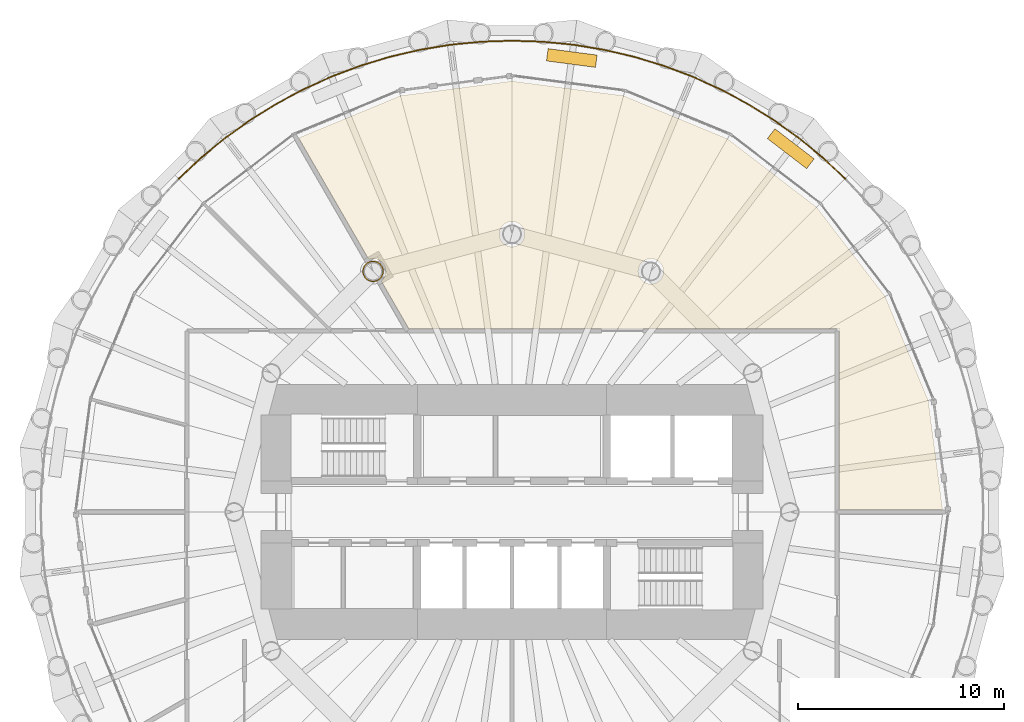
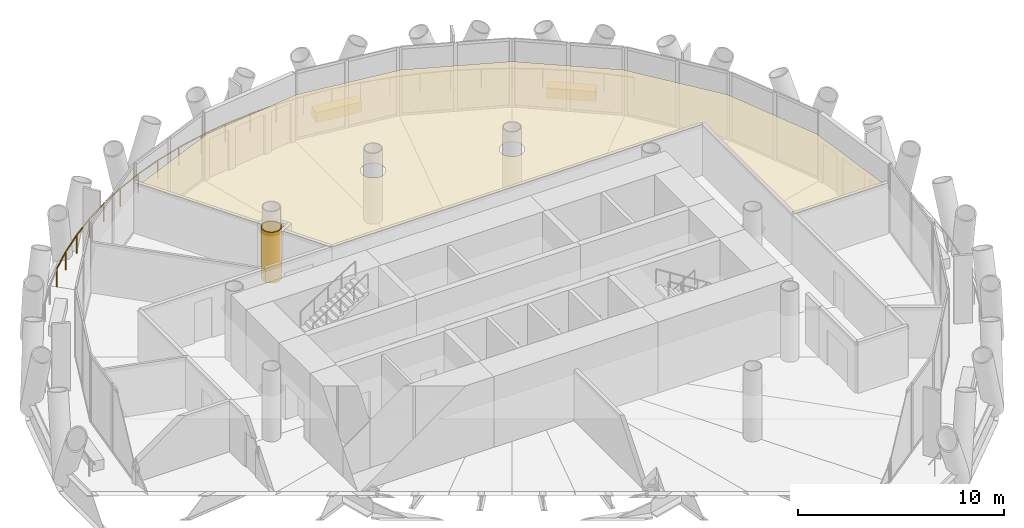
# One storey, part 14 of 14: 4 coverings, 1 railing.
"""IFC4 building model written with IfcOpenShell, lengths in metres."""

import ifcopenshell
import ifcopenshell.guid

model = None  # the IFC model being written
_history = None  # IfcOwnerHistory: only IFC2X3 demands one
_inside = {}  # id of a spatial element -> (the spatial element, [elements in it])
_under = {}  # id of a project, library or spatial element -> (it, [spatial elements below it])
_declared = {}  # id of a project -> (the project, [libraries it declares])
_typed = {}  # id of a type object -> (the type object, [elements of that type])
_made_of = {}  # id of a material, layer set ... -> (it, [elements and type objects made of it])


def new_model(schema):
    """Start an empty IFC model of exactly this schema.

    Asked for "IFC4X3", IfcOpenShell would pick the latest addendum, in which some entities
    have other attributes; the version numbers below select the first issue.
    IFC2X3 requires an IfcOwnerHistory on every rooted entity: one is made here for all.
    """
    global model, _history
    if schema == "IFC4X3":
        model = ifcopenshell.file(schema_version=(4, 3, 0, 0))
    else:
        model = ifcopenshell.file(schema=schema)
    _inside.clear()
    _under.clear()
    _declared.clear()
    _typed.clear()
    _made_of.clear()
    _history = None
    if model.schema == "IFC2X3":
        org = make("IfcOrganization", Name="unknown")
        user = make(
            "IfcPersonAndOrganization",
            ThePerson=make("IfcPerson", FamilyName="unknown"),
            TheOrganization=org,
        )
        app = make(
            "IfcApplication",
            ApplicationDeveloper=org,
            Version="unknown",
            ApplicationFullName="unknown",
            ApplicationIdentifier="unknown",
        )
        _history = make(
            "IfcOwnerHistory",
            OwningUser=user,
            OwningApplication=app,
            ChangeAction="ADDED",
            CreationDate=0,
        )
    return model


def make(cls, **values):
    """One entity of the class cls with the attributes given. An attribute that is None is left unset."""
    return model.create_entity(
        cls, **{name: value for name, value in values.items() if value is not None}
    )


def rooted(cls, **values):
    """An entity with a GlobalId (a new one), such as an element, a storey or a relation."""
    return make(cls, GlobalId=ifcopenshell.guid.new(), OwnerHistory=_history, **values)


def si_unit(unit_type, name, prefix=None):
    """IfcSIUnit, for example si_unit("LENGTHUNIT", "METRE", prefix="MILLI")."""
    return make("IfcSIUnit", UnitType=unit_type, Prefix=prefix, Name=name)


def assignment(units):
    """IfcUnitAssignment: the units of a project."""
    return None if units is None else make("IfcUnitAssignment", Units=units)


def point(xyz):
    """IfcCartesianPoint."""
    return None if xyz is None else make("IfcCartesianPoint", Coordinates=xyz)


def direction(xyz):
    """IfcDirection."""
    return None if xyz is None else make("IfcDirection", DirectionRatios=xyz)


def frame(location, z_axis=None, x_axis=None):
    """IfcAxis2Placement3D, a coordinate frame: its origin and axes. An axis left out is left unset."""
    return make(
        "IfcAxis2Placement3D",
        Location=point(location),
        Axis=direction(z_axis),
        RefDirection=direction(x_axis),
    )


def frame_2d(location, x_axis=None):
    """IfcAxis2Placement2D, a coordinate frame in the plane: its origin and x axis."""
    return make(
        "IfcAxis2Placement2D", Location=point(location), RefDirection=direction(x_axis)
    )


def origin():
    """The frame at (0, 0, 0) with its axes left unset."""
    return frame((0.0, 0.0, 0.0))


def origin_2d():
    """The frame at (0, 0) in the plane with its x axis left unset."""
    return frame_2d((0.0, 0.0))


def place(relative_to, where):
    """IfcLocalPlacement: puts the frame where relative to a parent placement (None: the world)."""
    return make(
        "IfcLocalPlacement", PlacementRelTo=relative_to, RelativePlacement=where
    )


def context(
    kind, dimensions, precision=None, world=None, true_north=None, identifier=None
):
    """IfcGeometricRepresentationContext, for example the 3D "Model" context."""
    return make(
        "IfcGeometricRepresentationContext",
        ContextIdentifier=identifier,
        ContextType=kind,
        CoordinateSpaceDimension=dimensions,
        Precision=precision,
        WorldCoordinateSystem=world,
        TrueNorth=true_north,
    )


def subcontext(parent, identifier, kind, view, scale=None):
    """IfcGeometricRepresentationSubContext, for example "Body" below "Model"."""
    return make(
        "IfcGeometricRepresentationSubContext",
        ContextIdentifier=identifier,
        ContextType=kind,
        ParentContext=parent,
        TargetScale=scale,
        TargetView=view,
    )


def project(units=None, contexts=None):
    """IfcProject with its units and contexts."""
    return rooted(
        "IfcProject",
        Name="project",
        RepresentationContexts=contexts,
        UnitsInContext=assignment(units),
    )


def spatial(cls, under=None, at=None, **own):
    """A site, building, storey or space (cls), placed at a placement, below another one or the project."""
    s = rooted(cls, ObjectPlacement=at, **own)
    if under is not None:
        _under.setdefault(under.id(), (under, []))[1].append(s)
    return s


def polyline(points):
    """IfcPolyline through the points."""
    return make("IfcPolyline", Points=[point(p) for p in points])


def profile(cls, at=None, kind="AREA", **sizes):
    """A parametric profile (cls). Its sizes go by their IFC names, for example OverallWidth=200.0."""
    return make(cls, ProfileType=kind, Position=at, **sizes)


def rectangle(**sizes):
    """IfcRectangleProfileDef."""
    return profile("IfcRectangleProfileDef", **sizes)


def circle(**sizes):
    """IfcCircleProfileDef."""
    return profile("IfcCircleProfileDef", **sizes)


def outline(outer, holes=None, kind="AREA"):
    """IfcArbitraryClosedProfileDef: a profile drawn as a closed curve; with holes, ...WithVoids."""
    if holes is None:
        return make("IfcArbitraryClosedProfileDef", ProfileType=kind, OuterCurve=outer)
    return make(
        "IfcArbitraryProfileDefWithVoids",
        ProfileType=kind,
        OuterCurve=outer,
        InnerCurves=holes,
    )


def extrude(swept, where, along, depth):
    """IfcExtrudedAreaSolid: the profile swept, set in the frame where, extruded along a direction by depth."""
    return make(
        "IfcExtrudedAreaSolid",
        SweptArea=swept,
        Position=where,
        ExtrudedDirection=direction(along),
        Depth=depth,
    )


def shape(context_of_items, identifier, shape_type, items):
    """IfcShapeRepresentation: the items that make up one representation, for example the "Body"."""
    return make(
        "IfcShapeRepresentation",
        ContextOfItems=context_of_items,
        RepresentationIdentifier=identifier,
        RepresentationType=shape_type,
        Items=items,
    )


def material(Name=None, Category=None):
    """IfcMaterial."""
    return make("IfcMaterial", Name=Name, Category=Category)


def layer(
    of_material, thickness, ventilated=None, Name=None, Category=None, Priority=None
):
    """IfcMaterialLayer: one layer of a wall or slab, of a material (None: an air gap)."""
    return make(
        "IfcMaterialLayer",
        Material=of_material,
        LayerThickness=thickness,
        IsVentilated=ventilated,
        Name=Name,
        Category=Category,
        Priority=Priority,
    )


def layer_set(layers, Name=None):
    """IfcMaterialLayerSet."""
    return make("IfcMaterialLayerSet", MaterialLayers=layers, LayerSetName=Name)


def made_of(thing, what):
    """Note that an element or type object is made of a material, layer set ...; save() writes the relation."""
    if what is not None:
        _made_of.setdefault(what.id(), (what, []))[1].append(thing)
    return thing


def type_object(cls, material=None, **own):
    """A type object (cls), such as IfcWallType, which elements share."""
    return made_of(rooted(cls, **own), material)


def element(
    cls,
    number,
    at=None,
    inside=None,
    cuts=None,
    type_object=None,
    material=None,
    context=None,
    identifier="Body",
    shape_type=None,
    held_by="IfcProductDefinitionShape",
    body=None,
    shapes=None,
    **own,
):
    """One element of the class cls, such as IfcWall. Its Tag is "e" and its number.

    at: its placement. inside: the storey or other place that contains it. cuts: it is an
    opening in that element (IfcRelVoidsElement). A single representation is given by context,
    identifier, shape_type and body (its items); several are given by shapes. held_by: the class
    of the entity that holds the representations. save() writes the other relations.
    """
    e = rooted(cls, Tag="e%d" % number, ObjectPlacement=at, **own)
    if body is not None:
        shapes = [shape(context, identifier, shape_type, body)]
    if shapes is not None:
        e.Representation = make(held_by, Representations=shapes)
    if inside is not None:
        _inside.setdefault(inside.id(), (inside, []))[1].append(e)
    if cuts is not None:
        rooted(
            "IfcRelVoidsElement", RelatingBuildingElement=cuts, RelatedOpeningElement=e
        )
    if type_object is not None:
        _typed.setdefault(type_object.id(), (type_object, []))[1].append(e)
    return made_of(e, material)


def aggregate(whole, parts):
    """IfcRelAggregates: a whole, such as a stair, and the parts it consists of."""
    return rooted("IfcRelAggregates", RelatingObject=whole, RelatedObjects=parts)


def save(model, path):
    """Write the relations noted so far, then the file.

    IfcRelAggregates (storeys below a building ...), IfcRelContainedInSpatialStructure (elements
    in a storey), IfcRelDefinesByType, IfcRelAssociatesMaterial and IfcRelDeclares: one each for
    every whole, place, type object, material and project.
    """
    for whole, parts in _under.values():
        aggregate(whole, parts)
    for where, things in _inside.values():
        rooted(
            "IfcRelContainedInSpatialStructure",
            RelatedElements=things,
            RelatingStructure=where,
        )
    for kind, things in _typed.values():
        rooted("IfcRelDefinesByType", RelatedObjects=things, RelatingType=kind)
    for what, things in _made_of.values():
        rooted("IfcRelAssociatesMaterial", RelatedObjects=things, RelatingMaterial=what)
    for by, libraries in _declared.values():
        rooted("IfcRelDeclares", RelatingContext=by, RelatedDefinitions=libraries)
    model.write(path)


model = new_model("IFC4")

# Units and contexts
model_context = context("Model", 3, precision=1e-05, world=origin(), true_north=direction((0.0, 1.0)))
body_context = subcontext(model_context, "Body", "Model", "MODEL_VIEW")
ifc_project = project(units=[si_unit("LENGTHUNIT", "METRE"), si_unit("AREAUNIT", "SQUARE_METRE"), si_unit("VOLUMEUNIT", "CUBIC_METRE"), si_unit("PLANEANGLEUNIT", "RADIAN"), si_unit("MASSUNIT", "GRAM", prefix="KILO")], contexts=[model_context])

# Site, building, storey
site_placement = place(None, origin())
site = spatial("IfcSite", under=ifc_project, at=site_placement, CompositionType="ELEMENT")
building_placement = place(site_placement, origin())
building = spatial("IfcBuilding", under=site, at=building_placement, Name="Qaws Media Tower", CompositionType="ELEMENT")
storey_placement = place(building_placement, frame((0.0, 0.0, 202.39990234375)))
storey = spatial("IfcBuildingStorey", under=building, at=storey_placement, Name="L46", CompositionType="ELEMENT", Elevation=202.39990234375)

# Railing
ifc_material_1 = material(Name="Stainless steel and glass guard", Category="steel")
railing_type = type_object("IfcRailingType", Name="Balcony guard 1100", PredefinedType="GUARDRAIL", material=ifc_material_1)
railing_placement = place(storey_placement, frame((76.192626953125, 66.192626953125, 0.0)))
element("IfcRailing", 1, at=railing_placement, inside=storey, type_object=railing_type, Name="GR1 balcony guard L46-1", PredefinedType="GUARDRAIL", context=body_context, shape_type="SweptSolid", body=[
    extrude(circle(Radius=0.02392578125, at=origin_2d()), frame((0.0, 0.0, 1.076171875), z_axis=(-0.729786131412, 0.683675509579, 0.0), x_axis=(-0.683675509579, -0.729786131412, 0.0)), (0.0, 0.0, 1.0), 1.498291015625),
    extrude(circle(Radius=0.02392578125, at=origin_2d()), frame((-1.093505859375, 1.0244140625, 1.076171875), z_axis=(-0.773020109112, 0.634381518416, 0.0), x_axis=(-0.634381518416, -0.773020109112, 0.0)), (0.0, 0.0, 1.0), 1.49853515625),
    extrude(circle(Radius=0.02392578125, at=origin_2d()), frame((-2.251953125, 1.97509765625, 1.076171875), z_axis=(-0.812774700378, 0.582578137613, 0.0), x_axis=(-0.582578137613, -0.812774700378, 0.0)), (0.0, 0.0, 1.0), 1.49853515625),
    extrude(circle(Radius=0.02392578125, at=origin_2d()), frame((-3.469970703125, 2.84814453125, 1.076171875), z_axis=(-0.84924978873, 0.527991284342, 0.0), x_axis=(-0.527991284342, -0.84924978873, 0.0)), (0.0, 0.0, 1.0), 1.49853515625),
    extrude(circle(Radius=0.02392578125, at=origin_2d()), frame((-4.74267578125, 3.639404296875, 1.076171875), z_axis=(-0.881942178876, 0.471357606408, 0.0), x_axis=(-0.471357606408, -0.881942178876, 0.0)), (0.0, 0.0, 1.0), 1.49853515625),
    extrude(circle(Radius=0.02392578125, at=origin_2d()), frame((-6.064208984375, 4.345703125, 1.076171875), z_axis=(-0.910879082902, 0.412673353066, 0.0), x_axis=(-0.412673353066, -0.910879082902, 0.0)), (0.0, 0.0, 1.0), 1.49853515625),
    extrude(circle(Radius=0.02392578125, at=origin_2d()), frame((-7.42919921875, 4.964111328125, 1.076171875), z_axis=(-0.935846213022, 0.352408662738, 0.0), x_axis=(-0.352408662738, -0.935846213022, 0.0)), (0.0, 0.0, 1.0), 1.49853515625),
    extrude(circle(Radius=0.02392578125, at=origin_2d()), frame((-8.83154296875, 5.4921875, 1.076171875), z_axis=(-0.956979175917, 0.290156607475, 0.0), x_axis=(-0.290156607475, -0.956979175917, 0.0)), (0.0, 0.0, 1.0), 1.49853515625),
    extrude(circle(Radius=0.02392578125, at=origin_2d()), frame((-10.265625, 5.927001953125, 1.076171875), z_axis=(-0.973872443437, 0.227095715315, 0.0), x_axis=(-0.227095715315, -0.973872443437, 0.0)), (0.0, 0.0, 1.0), 1.49853515625),
    extrude(circle(Radius=0.02392578125, at=origin_2d()), frame((-11.72509765625, 6.267333984375, 1.076171875), z_axis=(-0.98663939489, 0.162919318839, 0.0), x_axis=(-0.162919318839, -0.98663939489, 0.0)), (0.0, 0.0, 1.0), 1.49853515625),
    extrude(circle(Radius=0.02392578125, at=origin_2d()), frame((-13.20361328125, 6.511474609375, 1.076171875), z_axis=(-0.995178136619, 0.098084027218, 0.0), x_axis=(-0.098084027218, -0.995178136619, 0.0)), (0.0, 0.0, 1.0), 1.49853515625),
    extrude(circle(Radius=0.02392578125, at=origin_2d()), frame((-14.69482421875, 6.658447265625, 1.076171875), z_axis=(-0.999469048478, 0.032582528068, 0.0), x_axis=(-0.032582528068, -0.999469048478, 0.0)), (0.0, 0.0, 1.0), 1.49853515625),
    extrude(circle(Radius=0.02392578125, at=origin_2d()), frame((-16.192626953125, 6.707275390625, 1.076171875), z_axis=(-0.999469048478, -0.032582528068, 0.0), x_axis=(0.032582528068, -0.999469048478, 0.0)), (0.0, 0.0, 1.0), 1.49853515625),
    extrude(circle(Radius=0.02392578125, at=origin_2d()), frame((-17.6904296875, 6.658447265625, 1.076171875), z_axis=(-0.995178136619, -0.098084027218, 0.0), x_axis=(0.098084027218, -0.995178136619, 0.0)), (0.0, 0.0, 1.0), 1.49853515625),
    extrude(circle(Radius=0.02392578125, at=origin_2d()), frame((-19.181640625, 6.511474609375, 1.076171875), z_axis=(-0.98663939489, -0.162919318839, 0.0), x_axis=(0.162919318839, -0.98663939489, 0.0)), (0.0, 0.0, 1.0), 1.49853515625),
    extrude(circle(Radius=0.02392578125, at=origin_2d()), frame((-20.66015625, 6.267333984375, 1.076171875), z_axis=(-0.973872443437, -0.227095715315, 0.0), x_axis=(0.227095715315, -0.973872443437, 0.0)), (0.0, 0.0, 1.0), 1.49853515625),
    extrude(circle(Radius=0.02392578125, at=origin_2d()), frame((-22.11962890625, 5.927001953125, 1.076171875), z_axis=(-0.956979175917, -0.290156607475, 0.0), x_axis=(0.290156607475, -0.956979175917, 0.0)), (0.0, 0.0, 1.0), 1.49853515625),
    extrude(circle(Radius=0.02392578125, at=origin_2d()), frame((-23.5537109375, 5.4921875, 1.076171875), z_axis=(-0.935846213022, -0.352408662738, 0.0), x_axis=(0.352408662738, -0.935846213022, 0.0)), (0.0, 0.0, 1.0), 1.49853515625),
    extrude(circle(Radius=0.02392578125, at=origin_2d()), frame((-24.9560546875, 4.964111328125, 1.076171875), z_axis=(-0.910879082902, -0.412673353066, 0.0), x_axis=(0.412673353066, -0.910879082902, 0.0)), (0.0, 0.0, 1.0), 1.49853515625),
    extrude(circle(Radius=0.02392578125, at=origin_2d()), frame((-26.321044921875, 4.345703125, 1.076171875), z_axis=(-0.881942178876, -0.471357606408, 0.0), x_axis=(0.471357606408, -0.881942178876, 0.0)), (0.0, 0.0, 1.0), 1.49853515625),
    extrude(circle(Radius=0.02392578125, at=origin_2d()), frame((-27.642578125, 3.639404296875, 1.076171875), z_axis=(-0.84924978873, -0.527991284342, 0.0), x_axis=(0.527991284342, -0.84924978873, 0.0)), (0.0, 0.0, 1.0), 1.49853515625),
    extrude(circle(Radius=0.02392578125, at=origin_2d()), frame((-28.915283203125, 2.84814453125, 1.076171875), z_axis=(-0.812774700378, -0.582578137613, 0.0), x_axis=(0.582578137613, -0.812774700378, 0.0)), (0.0, 0.0, 1.0), 1.49853515625),
    extrude(circle(Radius=0.02392578125, at=origin_2d()), frame((-30.13330078125, 1.97509765625, 1.076171875), z_axis=(-0.773020109112, -0.634381518416, 0.0), x_axis=(0.634381518416, -0.773020109112, 0.0)), (0.0, 0.0, 1.0), 1.49853515625),
    extrude(circle(Radius=0.02392578125, at=origin_2d()), frame((-31.291748046875, 1.0244140625, 1.076171875), z_axis=(-0.729786131412, -0.683675509579, 0.0), x_axis=(0.683675509579, -0.729786131412, 0.0)), (0.0, 0.0, 1.0), 1.498291015625),
    extrude(circle(Radius=0.02099609375, at=origin_2d()), origin(), (0.0, 0.0, 1.0), 1.052001953125),
    extrude(circle(Radius=0.02099609375, at=origin_2d()), frame((-1.093505859375, 1.0244140625, 0.0)), (0.0, 0.0, 1.0), 1.052001953125),
    extrude(circle(Radius=0.02099609375, at=origin_2d()), frame((-2.251953125, 1.97509765625, 0.0)), (0.0, 0.0, 1.0), 1.052001953125),
    extrude(circle(Radius=0.02099609375, at=origin_2d()), frame((-3.469970703125, 2.84814453125, 0.0)), (0.0, 0.0, 1.0), 1.052001953125),
    extrude(circle(Radius=0.02099609375, at=origin_2d()), frame((-4.74267578125, 3.639404296875, 0.0)), (0.0, 0.0, 1.0), 1.052001953125),
    extrude(circle(Radius=0.02099609375, at=origin_2d()), frame((-6.064208984375, 4.345703125, 0.0)), (0.0, 0.0, 1.0), 1.052001953125),
    extrude(circle(Radius=0.02099609375, at=origin_2d()), frame((-7.42919921875, 4.964111328125, 0.0)), (0.0, 0.0, 1.0), 1.052001953125),
    extrude(circle(Radius=0.02099609375, at=origin_2d()), frame((-8.83154296875, 5.4921875, 0.0)), (0.0, 0.0, 1.0), 1.052001953125),
    extrude(circle(Radius=0.02099609375, at=origin_2d()), frame((-10.265625, 5.927001953125, 0.0)), (0.0, 0.0, 1.0), 1.052001953125),
    extrude(circle(Radius=0.02099609375, at=origin_2d()), frame((-11.72509765625, 6.267333984375, 0.0)), (0.0, 0.0, 1.0), 1.052001953125),
    extrude(circle(Radius=0.02099609375, at=origin_2d()), frame((-13.20361328125, 6.511474609375, 0.0)), (0.0, 0.0, 1.0), 1.052001953125),
    extrude(circle(Radius=0.02099609375, at=origin_2d()), frame((-14.69482421875, 6.658447265625, 0.0)), (0.0, 0.0, 1.0), 1.052001953125),
    extrude(circle(Radius=0.02099609375, at=origin_2d()), frame((-16.192626953125, 6.707275390625, 0.0)), (0.0, 0.0, 1.0), 1.052001953125),
    extrude(circle(Radius=0.02099609375, at=origin_2d()), frame((-17.6904296875, 6.658447265625, 0.0)), (0.0, 0.0, 1.0), 1.052001953125),
    extrude(circle(Radius=0.02099609375, at=origin_2d()), frame((-19.181640625, 6.511474609375, 0.0)), (0.0, 0.0, 1.0), 1.052001953125),
    extrude(circle(Radius=0.02099609375, at=origin_2d()), frame((-20.66015625, 6.267333984375, 0.0)), (0.0, 0.0, 1.0), 1.052001953125),
    extrude(circle(Radius=0.02099609375, at=origin_2d()), frame((-22.11962890625, 5.927001953125, 0.0)), (0.0, 0.0, 1.0), 1.052001953125),
    extrude(circle(Radius=0.02099609375, at=origin_2d()), frame((-23.5537109375, 5.4921875, 0.0)), (0.0, 0.0, 1.0), 1.052001953125),
    extrude(circle(Radius=0.02099609375, at=origin_2d()), frame((-24.9560546875, 4.964111328125, 0.0)), (0.0, 0.0, 1.0), 1.052001953125),
    extrude(circle(Radius=0.02099609375, at=origin_2d()), frame((-26.321044921875, 4.345703125, 0.0)), (0.0, 0.0, 1.0), 1.052001953125),
    extrude(circle(Radius=0.02099609375, at=origin_2d()), frame((-27.642578125, 3.639404296875, 0.0)), (0.0, 0.0, 1.0), 1.052001953125),
    extrude(circle(Radius=0.02099609375, at=origin_2d()), frame((-28.915283203125, 2.84814453125, 0.0)), (0.0, 0.0, 1.0), 1.052001953125),
    extrude(circle(Radius=0.02099609375, at=origin_2d()), frame((-30.13330078125, 1.97509765625, 0.0)), (0.0, 0.0, 1.0), 1.052001953125),
    extrude(circle(Radius=0.02099609375, at=origin_2d()), frame((-31.291748046875, 1.0244140625, 0.0)), (0.0, 0.0, 1.0), 1.052001953125),
    extrude(circle(Radius=0.02099609375, at=origin_2d()), frame((-32.38525390625, 0.0, 0.0)), (0.0, 0.0, 1.0), 1.052001953125),
])

# Coverings
ifc_material_2 = material(Name="Two layers 15 fire-rated gypsum board on steel framing", Category="steel")
ifc_layer_1 = layer(ifc_material_2, 0.050048828125)
ifc_layer_set_1 = layer_set([ifc_layer_1], Name="Column fire casing")
covering_type_1 = type_object("IfcCoveringType", Name="Column fire casing", PredefinedType="CLADDING", material=ifc_layer_set_1)
covering_1_placement = place(storey_placement, origin())
element("IfcCovering", 2, at=covering_1_placement, inside=storey, type_object=covering_type_1, Name="CC1 column casing L46", PredefinedType="CLADDING", context=body_context, shape_type="SweptSolid", body=[
    extrude(outline(polyline([(53.761962890625, 61.69140625), (53.757568359375, 61.62451171875), (53.74462890625, 61.558837890625), (53.722900390625, 61.495361328125), (53.693359375, 61.435302734375), (53.65625, 61.379638671875), (53.612060546875, 61.329345703125), (53.561767578125, 61.28515625), (53.506103515625, 61.247802734375), (53.44580078125, 61.21826171875), (53.382568359375, 61.19677734375), (53.31689453125, 61.18359375), (53.25, 61.17919921875), (53.18310546875, 61.18359375), (53.117431640625, 61.19677734375), (53.05419921875, 61.21826171875), (52.993896484375, 61.247802734375), (52.938232421875, 61.28515625), (52.887939453125, 61.329345703125), (52.84375, 61.379638671875), (52.806640625, 61.435302734375), (52.777099609375, 61.495361328125), (52.75537109375, 61.558837890625), (52.742431640625, 61.62451171875), (52.738037109375, 61.69140625), (52.742431640625, 61.75830078125), (52.75537109375, 61.823974609375), (52.777099609375, 61.88720703125), (52.806640625, 61.947265625), (52.84375, 62.0029296875), (52.887939453125, 62.053466796875), (52.938232421875, 62.097412109375), (52.993896484375, 62.134765625), (53.05419921875, 62.164306640625), (53.117431640625, 62.185791015625), (53.18310546875, 62.198974609375), (53.25, 62.203369140625), (53.31689453125, 62.198974609375), (53.382568359375, 62.185791015625), (53.44580078125, 62.164306640625), (53.506103515625, 62.134765625), (53.561767578125, 62.097412109375), (53.612060546875, 62.053466796875), (53.65625, 62.0029296875), (53.693359375, 61.947265625), (53.722900390625, 61.88720703125), (53.74462890625, 61.823974609375), (53.757568359375, 61.75830078125), (53.761962890625, 61.69140625)]), holes=[polyline([(53.7099609375, 61.69140625), (53.7060546875, 61.63134765625), (53.6943359375, 61.572265625), (53.675048828125, 61.515380859375), (53.6484375, 61.461181640625), (53.614990234375, 61.411376953125), (53.5751953125, 61.3662109375), (53.530029296875, 61.326416015625), (53.47998046875, 61.29296875), (53.426025390625, 61.266357421875), (53.369140625, 61.2470703125), (53.31005859375, 61.2353515625), (53.25, 61.231201171875), (53.18994140625, 61.2353515625), (53.130859375, 61.2470703125), (53.073974609375, 61.266357421875), (53.02001953125, 61.29296875), (52.969970703125, 61.326416015625), (52.9248046875, 61.3662109375), (52.885009765625, 61.411376953125), (52.8515625, 61.461181640625), (52.824951171875, 61.515380859375), (52.8056640625, 61.572265625), (52.7939453125, 61.63134765625), (52.7900390625, 61.69140625), (52.7939453125, 61.75146484375), (52.8056640625, 61.810302734375), (52.824951171875, 61.867431640625), (52.8515625, 61.92138671875), (52.885009765625, 61.971435546875), (52.9248046875, 62.0166015625), (52.969970703125, 62.056396484375), (53.02001953125, 62.089599609375), (53.073974609375, 62.1162109375), (53.130859375, 62.1357421875), (53.18994140625, 62.1474609375), (53.25, 62.1513671875), (53.31005859375, 62.1474609375), (53.369140625, 62.1357421875), (53.426025390625, 62.1162109375), (53.47998046875, 62.089599609375), (53.530029296875, 62.056396484375), (53.5751953125, 62.0166015625), (53.614990234375, 61.971435546875), (53.6484375, 61.92138671875), (53.675048828125, 61.867431640625), (53.6943359375, 61.810302734375), (53.7060546875, 61.75146484375), (53.7099609375, 61.69140625)])]), origin(), (0.0, 0.0, 1.0), 3.01220703125),
])
ifc_material_3 = material(Name="600 x 600 mineral fibre tiles in exposed grid, suspended", Category="mineral fibre")
ifc_layer_2 = layer(ifc_material_3, 0.02001953125)
ifc_layer_set_2 = layer_set([ifc_layer_2], Name="Mineral fibre tile ceiling 20")
covering_type_2 = type_object("IfcCoveringType", Name="Mineral fibre tile ceiling 20", PredefinedType="CEILING", material=ifc_layer_set_2)
covering_2_placement = place(storey_placement, frame((0.0, 0.0, 2.85009765625)))
element("IfcCovering", 3, at=covering_2_placement, inside=storey, type_object=covering_type_2, Name="CL1 ceiling L46-02 Tenant studio office", PredefinedType="CEILING", context=body_context, shape_type="SweptSolid", body=[
    extrude(outline(polyline([(54.58154296875, 70.221923828125), (60.0, 70.935302734375), (65.41845703125, 70.221923828125), (70.467529296875, 68.13037109375), (74.803466796875, 64.803466796875), (78.13037109375, 60.467529296875), (80.221923828125, 55.41845703125), (80.92041015625, 50.112548828125), (75.91259765625, 50.112548828125), (75.91259765625, 58.91259765625), (54.984375, 58.91259765625), (53.650146484375, 61.223388671875), (53.686279296875, 61.255126953125), (53.739501953125, 61.315673828125), (53.7841796875, 61.3828125), (53.820068359375, 61.455078125), (53.845947265625, 61.53173828125), (53.86181640625, 61.61083984375), (53.866943359375, 61.69140625), (53.86181640625, 61.77197265625), (53.845947265625, 61.85107421875), (53.820068359375, 61.927490234375), (53.7841796875, 61.999755859375), (53.739501953125, 62.06689453125), (53.686279296875, 62.127685546875), (53.62548828125, 62.180908203125), (53.55859375, 62.2255859375), (53.486083984375, 62.261474609375), (53.40966796875, 62.287353515625), (53.33056640625, 62.302978515625), (53.25, 62.308349609375), (53.16943359375, 62.302978515625), (53.09033203125, 62.287353515625), (53.044921875, 62.27197265625), (49.63720703125, 68.173828125), (54.58154296875, 70.221923828125)]), holes=[polyline([(60.570068359375, 63.263916015625), (60.595947265625, 63.34033203125), (60.61181640625, 63.41943359375), (60.616943359375, 63.5), (60.61181640625, 63.58056640625), (60.595947265625, 63.65966796875), (60.570068359375, 63.736083984375), (60.5341796875, 63.80859375), (60.489501953125, 63.87548828125), (60.436279296875, 63.936279296875), (60.37548828125, 63.989501953125), (60.30859375, 64.0341796875), (60.236083984375, 64.070068359375), (60.15966796875, 64.095947265625), (60.08056640625, 64.11181640625), (60.0, 64.116943359375), (59.91943359375, 64.11181640625), (59.84033203125, 64.095947265625), (59.763916015625, 64.070068359375), (59.69140625, 64.0341796875), (59.62451171875, 63.989501953125), (59.563720703125, 63.936279296875), (59.510498046875, 63.87548828125), (59.4658203125, 63.80859375), (59.429931640625, 63.736083984375), (59.404052734375, 63.65966796875), (59.38818359375, 63.58056640625), (59.383056640625, 63.5), (59.38818359375, 63.41943359375), (59.404052734375, 63.34033203125), (59.429931640625, 63.263916015625), (59.4658203125, 63.19140625), (59.510498046875, 63.12451171875), (59.563720703125, 63.063720703125), (59.62451171875, 63.010498046875), (59.69140625, 62.9658203125), (59.763916015625, 62.929931640625), (59.84033203125, 62.904052734375), (59.91943359375, 62.88818359375), (60.0, 62.883056640625), (60.08056640625, 62.88818359375), (60.15966796875, 62.904052734375), (60.236083984375, 62.929931640625), (60.30859375, 62.9658203125), (60.37548828125, 63.010498046875), (60.436279296875, 63.063720703125), (60.489501953125, 63.12451171875), (60.5341796875, 63.19140625), (60.570068359375, 63.263916015625)]), polyline([(67.320068359375, 61.455078125), (67.345947265625, 61.53173828125), (67.36181640625, 61.61083984375), (67.366943359375, 61.69140625), (67.36181640625, 61.77197265625), (67.345947265625, 61.85107421875), (67.320068359375, 61.927490234375), (67.2841796875, 61.999755859375), (67.239501953125, 62.06689453125), (67.186279296875, 62.127685546875), (67.12548828125, 62.180908203125), (67.05859375, 62.2255859375), (66.986083984375, 62.261474609375), (66.90966796875, 62.287353515625), (66.83056640625, 62.302978515625), (66.75, 62.308349609375), (66.66943359375, 62.302978515625), (66.59033203125, 62.287353515625), (66.513916015625, 62.261474609375), (66.44140625, 62.2255859375), (66.37451171875, 62.180908203125), (66.313720703125, 62.127685546875), (66.260498046875, 62.06689453125), (66.2158203125, 61.999755859375), (66.179931640625, 61.927490234375), (66.154052734375, 61.85107421875), (66.13818359375, 61.77197265625), (66.133056640625, 61.69140625), (66.13818359375, 61.61083984375), (66.154052734375, 61.53173828125), (66.179931640625, 61.455078125), (66.2158203125, 61.3828125), (66.260498046875, 61.315673828125), (66.313720703125, 61.255126953125), (66.37451171875, 61.201904296875), (66.44140625, 61.156982421875), (66.513916015625, 61.121337890625), (66.59033203125, 61.095458984375), (66.66943359375, 61.07958984375), (66.75, 61.07421875), (66.83056640625, 61.07958984375), (66.90966796875, 61.095458984375), (66.986083984375, 61.121337890625), (67.05859375, 61.156982421875), (67.12548828125, 61.201904296875), (67.186279296875, 61.255126953125), (67.239501953125, 61.315673828125), (67.2841796875, 61.3828125), (67.320068359375, 61.455078125)])]), origin(), (0.0, 0.0, 1.0), 0.02001953125),
])
ifc_material_4 = material(Name="Precast concrete planter with trailing planting", Category="concrete")
ifc_layer_3 = layer(ifc_material_4, 0.60009765625)
ifc_layer_set_3 = layer_set([ifc_layer_3], Name="Planter 2400x600")
covering_type_3 = type_object("IfcCoveringType", Name="Planter 2400x600", PredefinedType="USERDEFINED", material=ifc_layer_set_3)
for number, where, z_axis, x_axis, name in (
    (4, (73.544921875, 67.652099609375, 0.0), (0.0, 0.0, 1.0), (-0.793353340291, 0.608761429009, 0.0), "PL1 balcony planter L46-02"),
    (5, (62.904296875, 72.0595703125, 0.0), (0.0, 0.0, 1.0), (-0.991444861374, 0.13052619222, 0.0), "PL1 balcony planter L46-03"),
):
    element("IfcCovering", number, at=place(storey_placement, frame(where, z_axis=z_axis, x_axis=x_axis)), inside=storey, type_object=covering_type_3, Name=name, ObjectType="PLANTER", PredefinedType="USERDEFINED", context=body_context, shape_type="SweptSolid", body=[
        extrude(rectangle(XDim=2.39990234375, YDim=0.60009765625, at=origin_2d()), origin(), (0.0, 0.0, 1.0), 0.60009765625),
    ])

save(model, "model.ifc")
